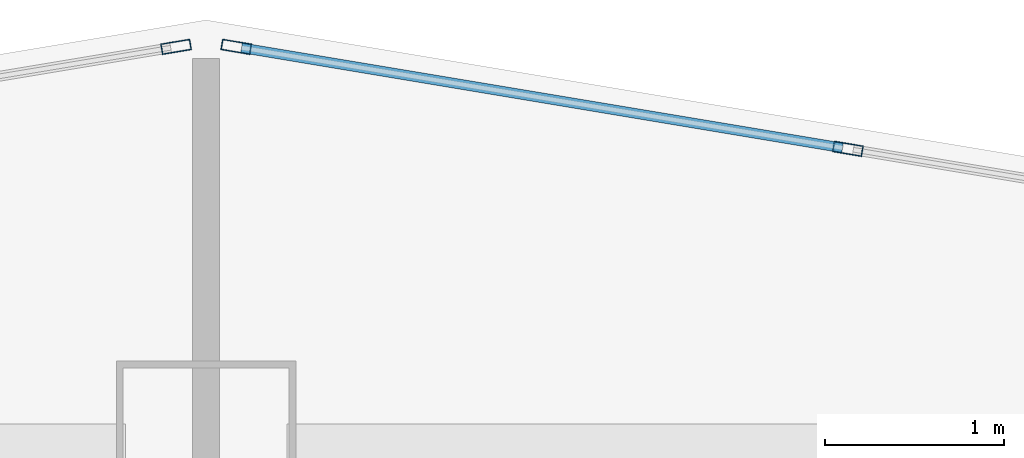
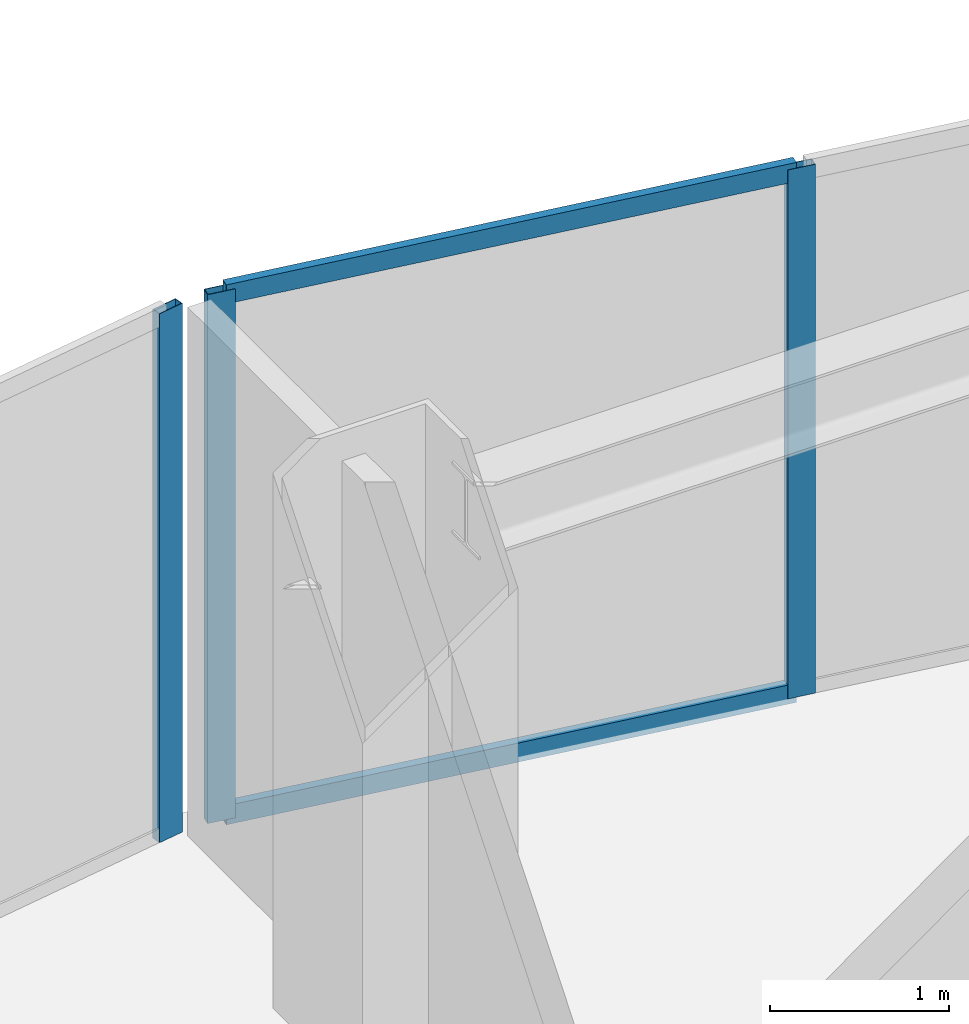
# One storey, part 4 of 17: 5 members, 2 elements without a shape of their own.
"""IFC4 building model written with IfcOpenShell, lengths in metres."""

from ifc_helpers import new_model, si_unit, direction, frame, origin, origin_2d, place, context, subcontext, project, spatial, hollow_rectangle, extrude, material, layer, layer_set, material_profile, profile_set, type_object, element, aggregate, save


model = new_model("IFC4")

# Units and contexts
model_context = context("Model", 3, precision=1e-05, world=origin(), true_north=direction((0.0, 1.0)))
body_context = subcontext(model_context, "Body", "Model", "MODEL_VIEW")
ifc_project = project(units=[si_unit("LENGTHUNIT", "METRE"), si_unit("AREAUNIT", "SQUARE_METRE"), si_unit("VOLUMEUNIT", "CUBIC_METRE"), si_unit("PLANEANGLEUNIT", "RADIAN"), si_unit("MASSUNIT", "GRAM", prefix="KILO")], contexts=[model_context])

# Site, building, storey
site_placement = place(None, origin())
site = spatial("IfcSite", under=ifc_project, at=site_placement, CompositionType="ELEMENT")
building_placement = place(site_placement, origin())
building = spatial("IfcBuilding", under=site, at=building_placement, Name="Haolan Belvedere Tower", CompositionType="ELEMENT")
storey_placement = place(building_placement, frame((0.0, 0.0, 31.60009765625)))
storey = spatial("IfcBuildingStorey", under=building, at=storey_placement, Name="L07", CompositionType="ELEMENT", Elevation=31.60009765625)

# Curtain wall, members
ifc_material_1 = material(Name="Anodised champagne-silver aluminium 6063-T6 and Low-E glass", Category="aluminium")
ifc_layer = layer(ifc_material_1, 0.1650390625, Name="Anodised champagne-silver aluminium 6063-T6 and Low-E glass")
ifc_layer_set = layer_set([ifc_layer], Name="Anodised champagne-silver aluminium 6063-T6 and Low-E glass")
curtain_wall_type = type_object("IfcCurtainWallType", Name="CW-SYS-02", PredefinedType="NOTDEFINED", material=ifc_layer_set)
curtain_wall_1_placement = place(storey_placement, origin())
curtain_wall_1 = element("IfcCurtainWall", 1, at=curtain_wall_1_placement, inside=storey, type_object=curtain_wall_type, Name="L07 CW-SYS-02 ribbon curtain wall 42.1", PredefinedType="NOTDEFINED")
ifc_material_2 = material(Name="Anodised aluminium 6063-T6", Category="aluminium")
ifc_material_profile_1 = material_profile(ifc_material_2, hollow_rectangle(XDim=0.06005859375, YDim=0.1650390625, WallThickness=0.00390625, at=origin_2d()), Name="Anodised aluminium 6063-T6")
ifc_profile_set_1 = profile_set([ifc_material_profile_1], Name="Anodised aluminium 6063-T6")
member_type_1 = type_object("IfcMemberType", Name="CW-SYS-02-MUL", PredefinedType="MULLION", material=ifc_profile_set_1)
member_1_placement = place(storey_placement, frame((41.9755859375, 52.082275390625, 0.0), z_axis=(0.0, 0.0, 1.0), x_axis=(-0.16440364043, -0.9863931483, 0.0)))
member_1 = element("IfcMember", 2, at=member_1_placement, type_object=member_type_1, Name="CW-02 mullion 2", PredefinedType="MULLION", context=body_context, shape_type="SweptSolid", body=[
    extrude(hollow_rectangle(XDim=0.06005859375, YDim=0.1650390625, WallThickness=0.00390625, at=origin_2d()), origin(), (0.0, 0.0, 1.0), 3.599853515625),
])
member_2_placement = place(storey_placement, frame((38.567626953125, 52.650390625, 0.0), z_axis=(0.0, 0.0, 1.0), x_axis=(-0.16440364043, -0.9863931483, 0.0)))
member_2 = element("IfcMember", 3, at=member_2_placement, type_object=member_type_1, Name="CW-02 mullion 3", PredefinedType="MULLION", context=body_context, shape_type="SweptSolid", body=[
    extrude(hollow_rectangle(XDim=0.06005859375, YDim=0.1650390625, WallThickness=0.00390625, at=origin_2d()), origin(), (0.0, 0.0, 1.0), 3.599853515625),
])

# Curtain wall, member
curtain_wall_2_placement = place(storey_placement, origin())
curtain_wall_2 = element("IfcCurtainWall", 4, at=curtain_wall_2_placement, inside=storey, type_object=curtain_wall_type, Name="L07 CW-SYS-02 ribbon curtain wall 43.1", PredefinedType="NOTDEFINED")
member_3_placement = place(storey_placement, frame((38.232421875, 52.650390625, 0.0), z_axis=(0.0, 0.0, 1.0), x_axis=(0.16440364043, -0.9863931483, 0.0)))
member_3 = element("IfcMember", 5, at=member_3_placement, type_object=member_type_1, Name="CW-02 mullion 1", PredefinedType="MULLION", context=body_context, shape_type="SweptSolid", body=[
    extrude(hollow_rectangle(XDim=0.06005859375, YDim=0.1650390625, WallThickness=0.00390625, at=origin_2d()), origin(), (0.0, 0.0, 1.0), 3.599853515625),
])
aggregate(curtain_wall_2, [member_3])

# Member
ifc_material_profile_2 = material_profile(ifc_material_2, hollow_rectangle(XDim=0.054931640625, YDim=0.1298828125, WallThickness=0.00390625, at=origin_2d()), Name="Anodised aluminium 6063-T6")
ifc_profile_set_2 = profile_set([ifc_material_profile_2], Name="Anodised aluminium 6063-T6")
member_type_2 = type_object("IfcMemberType", Name="CW-SYS-02-TRN", PredefinedType="USERDEFINED", material=ifc_profile_set_2)
member_4_placement = place(storey_placement, frame((41.946044921875, 52.08740234375, 0.02734375), z_axis=(-0.986395867289, 0.164387326137, 0.0), x_axis=(-0.164387326137, -0.986395867289, 0.0)))
member_4 = element("IfcMember", 6, at=member_4_placement, type_object=member_type_2, Name="CW-02 transom 2.1", ObjectType="TRANSOM", PredefinedType="USERDEFINED", context=body_context, shape_type="SweptSolid", body=[
    extrude(hollow_rectangle(XDim=0.054931640625, YDim=0.1298828125, WallThickness=0.00390625, at=origin_2d()), origin(), (0.0, 0.0, 1.0), 3.39501953125),
])

member_5_placement = place(storey_placement, frame((41.946044921875, 52.08740234375, 3.572509765625), z_axis=(-0.986395867289, 0.164387326137, 0.0), x_axis=(-0.164387326137, -0.986395867289, 0.0)))
member_5 = element("IfcMember", 7, at=member_5_placement, type_object=member_type_2, Name="CW-02 transom 2.2", ObjectType="TRANSOM", PredefinedType="USERDEFINED", context=body_context, shape_type="SweptSolid", body=[
    extrude(hollow_rectangle(XDim=0.054931640625, YDim=0.1298828125, WallThickness=0.00390625, at=origin_2d()), origin(), (0.0, 0.0, 1.0), 3.39501953125),
])

aggregate(curtain_wall_1, [member_1, member_2, member_4, member_5])

save(model, "model.ifc")
